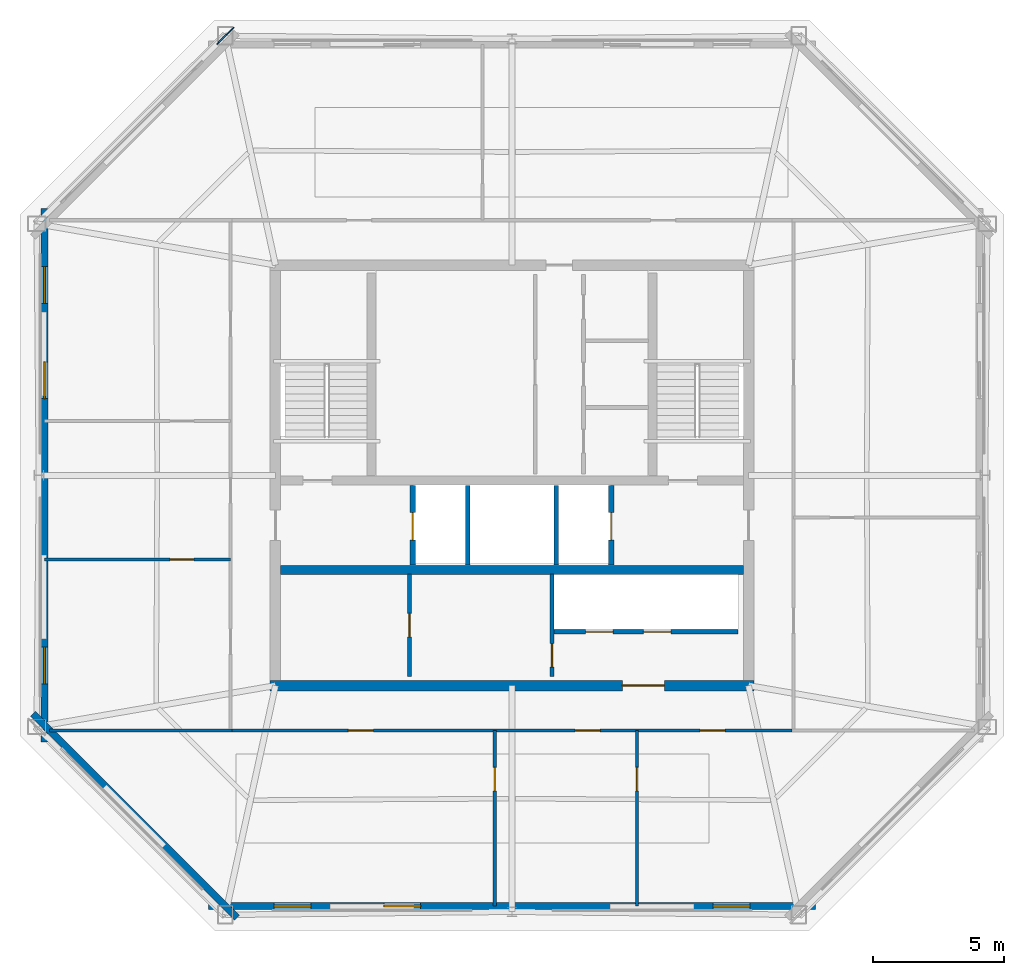
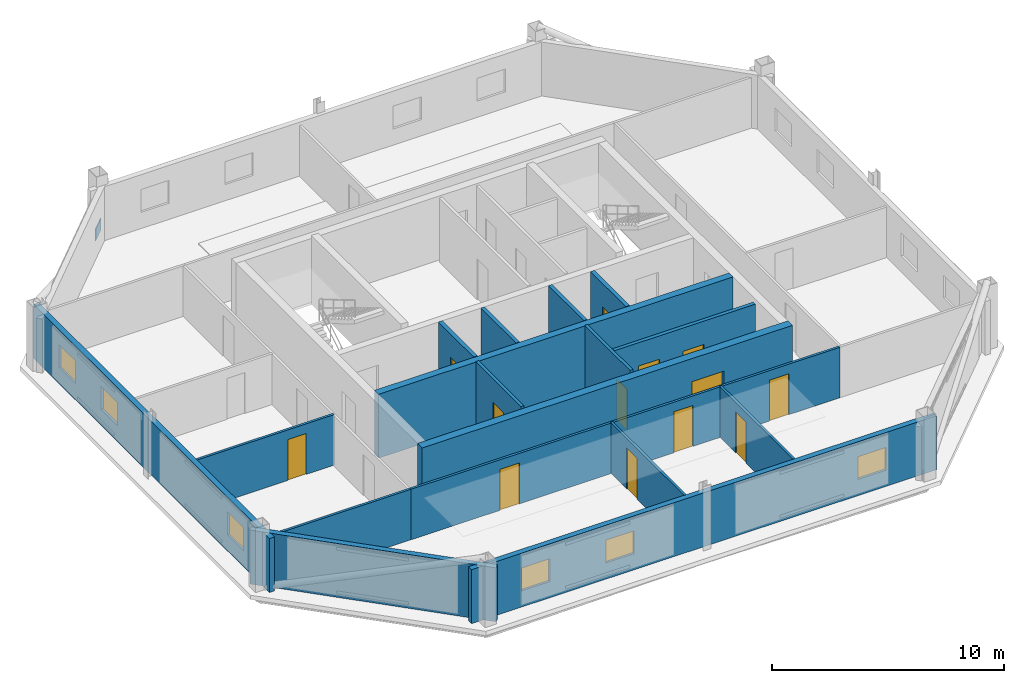
# One storey, part 2 of 6: 17 walls, 13 doors, 6 windows, 1 plate, 19 openings.
"""IFC4 building model written with IfcOpenShell, lengths in metres."""

from ifc_helpers import new_model, si_unit, direction, frame, frame_2d, origin, origin_2d, place, context, subcontext, project, spatial, rectangle, extrude, material, layer, layer_set, type_object, element, fill, save


model = new_model("IFC4")

# Units and contexts
model_context = context("Model", 3, precision=1e-05, world=origin(), true_north=direction((0.0, 1.0)))
body_context = subcontext(model_context, "Body", "Model", "MODEL_VIEW")
ifc_project = project(units=[si_unit("LENGTHUNIT", "METRE"), si_unit("AREAUNIT", "SQUARE_METRE"), si_unit("VOLUMEUNIT", "CUBIC_METRE"), si_unit("PLANEANGLEUNIT", "RADIAN"), si_unit("MASSUNIT", "GRAM", prefix="KILO")], contexts=[model_context])

# Site, building, storey
site_placement = place(None, origin())
site = spatial("IfcSite", under=ifc_project, at=site_placement, CompositionType="ELEMENT")
building_placement = place(site_placement, origin())
building = spatial("IfcBuilding", under=site, at=building_placement, Name="Caelvoria Tower", CompositionType="ELEMENT")
storey_placement = place(building_placement, frame((0.0, 0.0, 264.60009765625)))
storey = spatial("IfcBuildingStorey", under=building, at=storey_placement, Name="L70", CompositionType="ELEMENT", Elevation=264.60009765625)

# Plate
ifc_material_1 = material(Name="Structural Steel ASTM A572 Gr.50", Category="steel")
ifc_layer_1 = layer(ifc_material_1, 0.0400390625, Name="Structural Steel ASTM A572 Gr.50")
ifc_layer_set_1 = layer_set([ifc_layer_1], Name="Megaframe Node Gusset Plate 900x600x40 - Structural Steel ASTM A572 Gr.50")
plate_type = type_object("IfcPlateType", Name="Megaframe Node Gusset Plate 900x600x40", PredefinedType="USERDEFINED", material=ifc_layer_set_1)
plate_placement = place(storey_placement, frame((35.0888671875, 48.724365234375, 0.019775390625), z_axis=(0.0, 0.0, 1.0), x_axis=(-0.708251129694, -0.705960577714, 0.0)))
element("IfcPlate", 1, at=plate_placement, inside=storey, type_object=plate_type, Name="Chamfer Mega Brace Gusset L70 NW", ObjectType="GUSSET_PLATE", PredefinedType="USERDEFINED", context=body_context, shape_type="SweptSolid", body=[
    extrude(rectangle(XDim=0.89990234375, YDim=0.0400390625, at=origin_2d()), origin(), (0.0, 0.0, 1.0), 0.60009765625),
])

# Wall
ifc_material_2 = material(Name="Concrete C50/60", Category="concrete")
ifc_layer_2 = layer(ifc_material_2, 0.35009765625, Name="Concrete C50/60")
ifc_layer_set_2 = layer_set([ifc_layer_2], Name="Core Internal Shear Wall 350 - Concrete C50/60")
wall_type_1 = type_object("IfcWallType", Name="Core Internal Shear Wall 350", PredefinedType="SHEAR", material=ifc_layer_set_2)
wall_1_placement = place(storey_placement, frame((37.199951171875, 28.39990234375, 0.0), z_axis=(0.0, 0.0, 1.0), x_axis=(1.0, 0.0, 0.0)))
element("IfcWall", 2, at=wall_1_placement, inside=storey, type_object=wall_type_1, Name="Core Shear Wall L70 M2", PredefinedType="SHEAR", context=body_context, shape_type="SweptSolid", body=[
    extrude(rectangle(XDim=17.60009765625, YDim=0.35009765625, at=frame_2d((8.800048828125, 0.0))), origin(), (0.0, 0.0, 1.0), 3.35986328125),
])

# Wall, opening, door
ifc_material_3 = material(Name="Double Gypsum Board on Steel Stud", Category="steel")
ifc_layer_3 = layer(ifc_material_3, 0.14990234375, Name="Double Gypsum Board on Steel Stud")
ifc_layer_set_3 = layer_set([ifc_layer_3], Name="Core Service Acoustic Partition Wall 150 - Double Gypsum Board on Steel Stud")
wall_type_2 = type_object("IfcWallType", Name="Core Service Acoustic Partition Wall 150", PredefinedType="PARTITIONING", material=ifc_layer_set_3)
wall_2_placement = place(storey_placement, frame((42.10009765625, 24.35009765625, 0.0), z_axis=(0.0, 0.0, 1.0), x_axis=(0.0, 1.0, 0.0)))
wall_2 = element("IfcWall", 3, at=wall_2_placement, inside=storey, type_object=wall_type_2, Name="Interior Partition IW-L70-RECL-MID", PredefinedType="PARTITIONING", context=body_context, shape_type="SweptSolid", body=[
    extrude(rectangle(XDim=3.89990234375, YDim=0.14990234375, at=frame_2d((1.949951171875, 0.0))), origin(), (0.0, 0.0, 1.0), 3.375),
])
opening_1_placement = place(wall_2_placement, frame((1.5, 0.0, 0.0)))
opening_1 = element("IfcOpeningElement", 4, at=opening_1_placement, cuts=wall_2, Name="Opening ID-06", PredefinedType="OPENING", context=body_context, shape_type="SweptSolid", body=[
    extrude(rectangle(XDim=0.89990234375, YDim=2.14990234375, at=frame_2d((0.449951171875, 1.074951171875))), frame((0.0, 0.0849609375, 0.0), z_axis=(0.0, -1.0, 0.0), x_axis=(1.0, 0.0, 0.0)), (0.0, 0.0, 1.0), 0.169921875),
])
ifc_material_4 = material(Name="Engineered Andean Oak Veneer Door", Category="wood")
door_type_1 = type_object("IfcDoorType", Name="Interior Timber Door 900x2150", OperationType="NOTDEFINED", PredefinedType="DOOR", material=ifc_material_4)
door_1_placement = place(opening_1_placement, origin())
door_1 = element("IfcDoor", 5, at=door_1_placement, inside=storey, type_object=door_type_1, Name="Interior Door DR-L70-RECL12", OperationType="SINGLE_SWING_LEFT", OverallHeight=2.14990234375, OverallWidth=0.89990234375, PredefinedType="DOOR", context=body_context, shape_type="SweptSolid", body=[
    extrude(rectangle(XDim=0.89990234375, YDim=2.14990234375, at=frame_2d((0.449951171875, 1.074951171875))), frame((0.0, 0.02490234375, 0.0), z_axis=(0.0, -1.0, 0.0), x_axis=(1.0, 0.0, 0.0)), (0.0, 0.0, 1.0), 0.050048828125),
])
fill(opening_1, door_1)

wall_3_placement = place(storey_placement, frame((47.52001953125, 24.35009765625, 0.0), z_axis=(0.0, 0.0, 1.0), x_axis=(0.0, 1.0, 0.0)))
wall_3 = element("IfcWall", 6, at=wall_3_placement, inside=storey, type_object=wall_type_2, Name="Interior Partition IW-L70-RECL2E", PredefinedType="PARTITIONING", context=body_context, shape_type="SweptSolid", body=[
    extrude(rectangle(XDim=3.89990234375, YDim=0.14990234375, at=frame_2d((1.949951171875, 0.0))), origin(), (0.0, 0.0, 1.0), 3.375),
])
opening_2_placement = place(wall_3_placement, frame((0.35009765625, 0.0, 0.0)))
opening_2 = element("IfcOpeningElement", 7, at=opening_2_placement, cuts=wall_3, Name="Opening ID-04", PredefinedType="OPENING", context=body_context, shape_type="SweptSolid", body=[
    extrude(rectangle(XDim=0.89990234375, YDim=2.14990234375, at=frame_2d((0.449951171875, 1.074951171875))), frame((0.0, 0.0849609375, 0.0), z_axis=(0.0, -1.0, 0.0), x_axis=(1.0, 0.0, 0.0)), (0.0, 0.0, 1.0), 0.169921875),
])
ifc_material_5 = material(Name="Acoustic Timber Fire Door", Category="wood")
door_type_2 = type_object("IfcDoorType", Name="Fire Door FD30S 900x2150", OperationType="NOTDEFINED", PredefinedType="DOOR", material=ifc_material_5)
door_2_placement = place(opening_2_placement, origin())
door_2 = element("IfcDoor", 8, at=door_2_placement, inside=storey, type_object=door_type_2, Name="Interior Door DR-L70-RECL2", OperationType="SINGLE_SWING_RIGHT", OverallHeight=2.14990234375, OverallWidth=0.89990234375, PredefinedType="DOOR", context=body_context, shape_type="SweptSolid", body=[
    extrude(rectangle(XDim=0.89990234375, YDim=2.14990234375, at=frame_2d((0.449951171875, 1.074951171875))), frame((0.0, 0.02490234375, 0.0), z_axis=(0.0, -1.0, 0.0), x_axis=(1.0, 0.0, 0.0)), (0.0, 0.0, 1.0), 0.050048828125),
])
fill(opening_2, door_2)

# Walls
ifc_material_6 = material(Name="Concrete Block and Fireboard Assembly", Category="concrete")
ifc_layer_4 = layer(ifc_material_6, 0.179931640625, Name="Concrete Block and Fireboard Assembly")
ifc_layer_set_4 = layer_set([ifc_layer_4], Name="Fire-Rated Hoistway Partition Wall 180 - Concrete Block and Fireboard Assembly")
wall_type_3 = type_object("IfcWallType", Name="Fire-Rated Hoistway Partition Wall 180", PredefinedType="PARTITIONING", material=ifc_layer_set_4)
for number, where, z_axis, x_axis, name in (
    (9, (44.320068359375, 28.580078125, 0.0), (0.0, 0.0, 1.0), (0.0, 1.0, 0.0), "Interior Partition IW-L70-SV1W"),
    (10, (47.679931640625, 28.580078125, 0.0), (0.0, 0.0, 1.0), (0.0, 1.0, 0.0), "Interior Partition IW-L70-SV1E"),
):
    element("IfcWall", number, at=place(storey_placement, frame(where, z_axis=z_axis, x_axis=x_axis)), inside=storey, type_object=wall_type_3, Name=name, PredefinedType="PARTITIONING", context=body_context, shape_type="SweptSolid", body=[
        extrude(rectangle(XDim=3.0400390625, YDim=0.179931640625, at=frame_2d((1.52001953125, 0.0))), origin(), (0.0, 0.0, 1.0), 3.375),
    ])

# Wall, openings, doors
wall_4_placement = place(storey_placement, frame((47.60009765625, 26.050048828125, 0.0), z_axis=(0.0, 0.0, 1.0), x_axis=(1.0, 0.0, 0.0)))
wall_4 = element("IfcWall", 11, at=wall_4_placement, inside=storey, type_object=wall_type_3, Name="Interior Partition IW-L70-LFRONT", PredefinedType="PARTITIONING", context=body_context, shape_type="SweptSolid", body=[
    extrude(rectangle(XDim=7.0, YDim=0.179931640625, at=frame_2d((3.5, 0.0))), origin(), (0.0, 0.0, 1.0), 3.375),
])
opening_3_placement = place(wall_4_placement, frame((1.199951171875, 0.0, 0.0)))
opening_3 = element("IfcOpeningElement", 12, at=opening_3_placement, cuts=wall_4, Name="Opening LD-01", PredefinedType="OPENING", context=body_context, shape_type="SweptSolid", body=[
    extrude(rectangle(XDim=1.050048828125, YDim=2.14990234375, at=frame_2d((0.52490234375, 1.074951171875))), frame((0.0, 0.099853515625, 0.0), z_axis=(0.0, -1.0, 0.0), x_axis=(1.0, 0.0, 0.0)), (0.0, 0.0, 1.0), 0.199951171875),
])
opening_4_placement = place(wall_4_placement, frame((3.39990234375, 0.0, 0.0)))
opening_4 = element("IfcOpeningElement", 13, at=opening_4_placement, cuts=wall_4, Name="Opening LD-01", PredefinedType="OPENING", context=body_context, shape_type="SweptSolid", body=[
    extrude(rectangle(XDim=1.050048828125, YDim=2.14990234375, at=frame_2d((0.52490234375, 1.074951171875))), frame((0.0, 0.099853515625, 0.0), z_axis=(0.0, -1.0, 0.0), x_axis=(1.0, 0.0, 0.0)), (0.0, 0.0, 1.0), 0.199951171875),
])
ifc_material_7 = material(Name="Brushed Bronze Stainless Sliding Landing Door", Category="aluminium")
door_type_3 = type_object("IfcDoorType", Name="Lift Landing Sliding Door 1100x2150", OperationType="NOTDEFINED", PredefinedType="DOOR", material=ifc_material_7)
door_3_placement = place(opening_3_placement, origin())
door_3 = element("IfcDoor", 14, at=door_3_placement, inside=storey, type_object=door_type_3, Name="Interior Door LD-L70-PH1", OperationType="SLIDING_TO_LEFT", OverallHeight=2.14990234375, OverallWidth=1.050048828125, PredefinedType="DOOR", context=body_context, shape_type="SweptSolid", body=[
    extrude(rectangle(XDim=1.050048828125, YDim=2.14990234375, at=frame_2d((0.52490234375, 1.074951171875))), frame((0.0, 0.02490234375, 0.0), z_axis=(0.0, -1.0, 0.0), x_axis=(1.0, 0.0, 0.0)), (0.0, 0.0, 1.0), 0.050048828125),
])
fill(opening_3, door_3)
door_4_placement = place(opening_4_placement, origin())
door_4 = element("IfcDoor", 15, at=door_4_placement, inside=storey, type_object=door_type_3, Name="Interior Door LD-L70-PH2", OperationType="SLIDING_TO_RIGHT", OverallHeight=2.14990234375, OverallWidth=1.050048828125, PredefinedType="DOOR", context=body_context, shape_type="SweptSolid", body=[
    extrude(rectangle(XDim=1.050048828125, YDim=2.14990234375, at=frame_2d((0.52490234375, 1.074951171875))), frame((0.0, 0.02490234375, 0.0), z_axis=(0.0, -1.0, 0.0), x_axis=(1.0, 0.0, 0.0)), (0.0, 0.0, 1.0), 0.050048828125),
])
fill(opening_4, door_4)

# Wall, opening, door
ifc_layer_5 = layer(ifc_material_6, 0.199951171875, Name="Concrete Block and Fireboard Assembly")
ifc_layer_set_5 = layer_set([ifc_layer_5], Name="Fire-Rated Shaft and Core Partition Wall 200 - Concrete Block and Fireboard Assembly")
wall_type_4 = type_object("IfcWallType", Name="Fire-Rated Shaft and Core Partition Wall 200", PredefinedType="PARTITIONING", material=ifc_layer_set_5)
wall_5_placement = place(storey_placement, frame((42.219970703125, 28.580078125, 0.0), z_axis=(0.0, 0.0, 1.0), x_axis=(0.0, 1.0, 0.0)))
wall_5 = element("IfcWall", 16, at=wall_5_placement, inside=storey, type_object=wall_type_4, Name="Interior Partition IW-L70-LF1W", PredefinedType="PARTITIONING", context=body_context, shape_type="SweptSolid", body=[
    extrude(rectangle(XDim=3.0400390625, YDim=0.199951171875, at=frame_2d((1.52001953125, 0.0))), origin(), (0.0, 0.0, 1.0), 3.375),
])
opening_5_placement = place(wall_5_placement, frame((0.949951171875, 0.0, 0.0)))
opening_5 = element("IfcOpeningElement", 17, at=opening_5_placement, cuts=wall_5, Name="Opening LD-01", PredefinedType="OPENING", context=body_context, shape_type="SweptSolid", body=[
    extrude(rectangle(XDim=1.050048828125, YDim=2.14990234375, at=frame_2d((0.52490234375, 1.074951171875))), frame((0.0, 0.10986328125, 0.0), z_axis=(0.0, -1.0, 0.0), x_axis=(1.0, 0.0, 0.0)), (0.0, 0.0, 1.0), 0.219970703125),
])
door_5_placement = place(opening_5_placement, origin())
door_5 = element("IfcDoor", 18, at=door_5_placement, inside=storey, type_object=door_type_3, Name="Interior Door LD-L70-LF1", OperationType="SLIDING_TO_LEFT", OverallHeight=2.14990234375, OverallWidth=1.050048828125, PredefinedType="DOOR", context=body_context, shape_type="SweptSolid", body=[
    extrude(rectangle(XDim=1.050048828125, YDim=2.14990234375, at=frame_2d((0.52490234375, 1.074951171875))), frame((0.0, 0.02490234375, 0.0), z_axis=(0.0, -1.0, 0.0), x_axis=(1.0, 0.0, 0.0)), (0.0, 0.0, 1.0), 0.050048828125),
])
fill(opening_5, door_5)

wall_6_placement = place(storey_placement, frame((49.780029296875, 28.580078125, 0.0), z_axis=(0.0, 0.0, 1.0), x_axis=(0.0, 1.0, 0.0)))
wall_6 = element("IfcWall", 19, at=wall_6_placement, inside=storey, type_object=wall_type_4, Name="Interior Partition IW-L70-LF2E", PredefinedType="PARTITIONING", context=body_context, shape_type="SweptSolid", body=[
    extrude(rectangle(XDim=3.0400390625, YDim=0.199951171875, at=frame_2d((1.52001953125, 0.0))), origin(), (0.0, 0.0, 1.0), 3.375),
])
opening_6_placement = place(wall_6_placement, frame((0.949951171875, 0.0, 0.0)))
opening_6 = element("IfcOpeningElement", 20, at=opening_6_placement, cuts=wall_6, Name="Opening LD-01", PredefinedType="OPENING", context=body_context, shape_type="SweptSolid", body=[
    extrude(rectangle(XDim=1.050048828125, YDim=2.14990234375, at=frame_2d((0.52490234375, 1.074951171875))), frame((0.0, 0.10986328125, 0.0), z_axis=(0.0, -1.0, 0.0), x_axis=(1.0, 0.0, 0.0)), (0.0, 0.0, 1.0), 0.219970703125),
])
door_6_placement = place(opening_6_placement, origin())
door_6 = element("IfcDoor", 21, at=door_6_placement, inside=storey, type_object=door_type_3, Name="Interior Door LD-L70-LF2", OperationType="SLIDING_TO_RIGHT", OverallHeight=2.14990234375, OverallWidth=1.050048828125, PredefinedType="DOOR", context=body_context, shape_type="SweptSolid", body=[
    extrude(rectangle(XDim=1.050048828125, YDim=2.14990234375, at=frame_2d((0.52490234375, 1.074951171875))), frame((0.0, 0.02490234375, 0.0), z_axis=(0.0, -1.0, 0.0), x_axis=(1.0, 0.0, 0.0)), (0.0, 0.0, 1.0), 0.050048828125),
])
fill(opening_6, door_6)

ifc_layer_6 = layer(ifc_material_2, 0.39990234375, Name="Concrete C50/60")
ifc_layer_set_6 = layer_set([ifc_layer_6], Name="Summit Core Shear Wall 400 - Concrete C50/60")
wall_type_5 = type_object("IfcWallType", Name="Summit Core Shear Wall 400", PredefinedType="SHEAR", material=ifc_layer_set_6)
wall_7_placement = place(storey_placement, frame((36.800048828125, 24.0, 0.0), z_axis=(0.0, 0.0, 1.0), x_axis=(1.0, 0.0, 0.0)))
wall_7 = element("IfcWall", 22, at=wall_7_placement, inside=storey, type_object=wall_type_5, Name="Core Shear Wall L70 S", PredefinedType="SHEAR", context=body_context, shape_type="SweptSolid", body=[
    extrude(rectangle(XDim=18.39990234375, YDim=0.39990234375, at=frame_2d((9.199951171875, 0.0))), origin(), (0.0, 0.0, 1.0), 3.35986328125),
])
opening_7_placement = place(wall_7_placement, frame((13.39990234375, 0.0, 0.0)))
opening_7 = element("IfcOpeningElement", 23, at=opening_7_placement, cuts=wall_7, Name="Opening ID-08", PredefinedType="OPENING", context=body_context, shape_type="SweptSolid", body=[
    extrude(rectangle(XDim=1.60009765625, YDim=2.14990234375, at=frame_2d((0.800048828125, 1.074951171875))), frame((0.0, 0.2099609375, 0.0), z_axis=(0.0, -1.0, 0.0), x_axis=(1.0, 0.0, 0.0)), (0.0, 0.0, 1.0), 0.419921875),
])
ifc_material_8 = material(Name="Bronze-Framed Fire-Rated Glazed Double Door", Category="aluminium")
door_type_4 = type_object("IfcDoorType", Name="Double Lobby Glazed Door 1600x2200", OperationType="NOTDEFINED", PredefinedType="DOOR", material=ifc_material_8)
door_7_placement = place(opening_7_placement, origin())
door_7 = element("IfcDoor", 24, at=door_7_placement, inside=storey, type_object=door_type_4, Name="Core Door DR-L70-LLOB-S2", OperationType="DOUBLE_DOOR_SINGLE_SWING", OverallHeight=2.14990234375, OverallWidth=1.60009765625, PredefinedType="DOOR", context=body_context, shape_type="SweptSolid", body=[
    extrude(rectangle(XDim=1.60009765625, YDim=2.14990234375, at=frame_2d((0.800048828125, 1.074951171875))), frame((0.0, 0.02490234375, 0.0), z_axis=(0.0, -1.0, 0.0), x_axis=(1.0, 0.0, 0.0)), (0.0, 0.0, 1.0), 0.050048828125),
])
fill(opening_7, door_7)

ifc_material_9 = material(Name="Acoustic Gypsum Board on Light-Gauge Stud", Category="gypsum")
ifc_layer_7 = layer(ifc_material_9, 0.1201171875, Name="Acoustic Gypsum Board on Light-Gauge Stud")
ifc_layer_set_7 = layer_set([ifc_layer_7], Name="Tenant Suite Acoustic Partition Wall 120 - Acoustic Gypsum Board on Light-Gauge Stud")
wall_type_6 = type_object("IfcWallType", Name="Tenant Suite Acoustic Partition Wall 120", PredefinedType="PARTITIONING", material=ifc_layer_set_7)
wall_8_placement = place(storey_placement, frame((45.345458984375, 22.2900390625, 0.0), z_axis=(0.0, 0.0, 1.0), x_axis=(0.0, -1.0, 0.0)))
wall_8 = element("IfcWall", 25, at=wall_8_placement, inside=storey, type_object=wall_type_6, Name="Interior Partition IW-L70-SD-00-0", PredefinedType="PARTITIONING", context=body_context, shape_type="SweptSolid", body=[
    extrude(rectangle(XDim=6.67724609375, YDim=0.1201171875, at=frame_2d((3.338623046875, 0.0))), origin(), (0.0, 0.0, 1.0), 2.65478515625),
])
opening_8_placement = place(wall_8_placement, frame((1.39990234375, 0.0, 0.0)))
opening_8 = element("IfcOpeningElement", 26, at=opening_8_placement, cuts=wall_8, Name="Opening ID-06", PredefinedType="OPENING", context=body_context, shape_type="SweptSolid", body=[
    extrude(rectangle(XDim=0.89990234375, YDim=2.14990234375, at=frame_2d((0.449951171875, 1.074951171875))), frame((0.0, 0.070068359375, 0.0), z_axis=(0.0, -1.0, 0.0), x_axis=(1.0, 0.0, 0.0)), (0.0, 0.0, 1.0), 0.14013671875),
])
door_8_placement = place(opening_8_placement, origin())
door_8 = element("IfcDoor", 27, at=door_8_placement, inside=storey, type_object=door_type_1, Name="Interior Door DR-L70-SM-00-0", OperationType="SINGLE_SWING_RIGHT", OverallHeight=2.14990234375, OverallWidth=0.89990234375, PredefinedType="DOOR", context=body_context, shape_type="SweptSolid", body=[
    extrude(rectangle(XDim=0.89990234375, YDim=2.14990234375, at=frame_2d((0.449951171875, 1.074951171875))), frame((0.0, 0.02490234375, 0.0), z_axis=(0.0, -1.0, 0.0), x_axis=(1.0, 0.0, 0.0)), (0.0, 0.0, 1.0), 0.050048828125),
])
fill(opening_8, door_8)

wall_9_placement = place(storey_placement, frame((50.760986328125, 22.2900390625, 0.0), z_axis=(0.0, 0.0, 1.0), x_axis=(0.0, -1.0, 0.0)))
wall_9 = element("IfcWall", 28, at=wall_9_placement, inside=storey, type_object=wall_type_6, Name="Interior Partition IW-L70-SD-01-0", PredefinedType="PARTITIONING", context=body_context, shape_type="SweptSolid", body=[
    extrude(rectangle(XDim=6.67724609375, YDim=0.1201171875, at=frame_2d((3.338623046875, 0.0))), origin(), (0.0, 0.0, 1.0), 2.65478515625),
])
opening_9_placement = place(wall_9_placement, frame((1.39990234375, 0.0, 0.0)))
opening_9 = element("IfcOpeningElement", 29, at=opening_9_placement, cuts=wall_9, Name="Opening ID-06", PredefinedType="OPENING", context=body_context, shape_type="SweptSolid", body=[
    extrude(rectangle(XDim=0.89990234375, YDim=2.14990234375, at=frame_2d((0.449951171875, 1.074951171875))), frame((0.0, 0.070068359375, 0.0), z_axis=(0.0, -1.0, 0.0), x_axis=(1.0, 0.0, 0.0)), (0.0, 0.0, 1.0), 0.14013671875),
])
door_9_placement = place(opening_9_placement, origin())
door_9 = element("IfcDoor", 30, at=door_9_placement, inside=storey, type_object=door_type_1, Name="Interior Door DR-L70-SM-01-0", OperationType="SINGLE_SWING_LEFT", OverallHeight=2.14990234375, OverallWidth=0.89990234375, PredefinedType="DOOR", context=body_context, shape_type="SweptSolid", body=[
    extrude(rectangle(XDim=0.89990234375, YDim=2.14990234375, at=frame_2d((0.449951171875, 1.074951171875))), frame((0.0, 0.02490234375, 0.0), z_axis=(0.0, -1.0, 0.0), x_axis=(1.0, 0.0, 0.0)), (0.0, 0.0, 1.0), 0.050048828125),
])
fill(opening_9, door_9)

# Wall, openings, doors
wall_10_placement = place(storey_placement, frame((35.35009765625, 22.2900390625, 0.0), z_axis=(0.0, 0.0, 1.0), x_axis=(1.0, 0.0, 0.0)))
wall_10 = element("IfcWall", 31, at=wall_10_placement, inside=storey, type_object=wall_type_6, Name="Interior Partition IW-L70-SCW-0", PredefinedType="PARTITIONING", context=body_context, shape_type="SweptSolid", body=[
    extrude(rectangle(XDim=21.2998046875, YDim=0.1201171875, at=frame_2d((10.64990234375, 0.0))), origin(), (0.0, 0.0, 1.0), 2.65478515625),
])
opening_10_placement = place(wall_10_placement, frame((4.425048828125, 0.0, 0.0)))
opening_10 = element("IfcOpeningElement", 32, at=opening_10_placement, cuts=wall_10, Name="Opening ID-05", PredefinedType="OPENING", context=body_context, shape_type="SweptSolid", body=[
    extrude(rectangle(XDim=0.949951171875, YDim=2.14990234375, at=frame_2d((0.47509765625, 1.074951171875))), frame((0.0, 0.070068359375, 0.0), z_axis=(0.0, -1.0, 0.0), x_axis=(1.0, 0.0, 0.0)), (0.0, 0.0, 1.0), 0.14013671875),
])
opening_11_placement = place(wall_10_placement, frame((13.050537109375, 0.0, 0.0)))
opening_11 = element("IfcOpeningElement", 33, at=opening_11_placement, cuts=wall_10, Name="Opening ID-05", PredefinedType="OPENING", context=body_context, shape_type="SweptSolid", body=[
    extrude(rectangle(XDim=0.949951171875, YDim=2.14990234375, at=frame_2d((0.47509765625, 1.074951171875))), frame((0.0, 0.070068359375, 0.0), z_axis=(0.0, -1.0, 0.0), x_axis=(1.0, 0.0, 0.0)), (0.0, 0.0, 1.0), 0.14013671875),
])
opening_12_placement = place(wall_10_placement, frame((17.810546875, 0.0, 0.0)))
opening_12 = element("IfcOpeningElement", 34, at=opening_12_placement, cuts=wall_10, Name="Opening ID-05", PredefinedType="OPENING", context=body_context, shape_type="SweptSolid", body=[
    extrude(rectangle(XDim=0.949951171875, YDim=2.14990234375, at=frame_2d((0.47509765625, 1.074951171875))), frame((0.0, 0.070068359375, 0.0), z_axis=(0.0, -1.0, 0.0), x_axis=(1.0, 0.0, 0.0)), (0.0, 0.0, 1.0), 0.14013671875),
])
door_type_5 = type_object("IfcDoorType", Name="Interior Timber Door 950x2150", OperationType="NOTDEFINED", PredefinedType="DOOR", material=ifc_material_4)
door_10_placement = place(opening_10_placement, origin())
door_10 = element("IfcDoor", 35, at=door_10_placement, inside=storey, type_object=door_type_5, Name="Interior Door DR-L70-SC-00-0", OperationType="SINGLE_SWING_LEFT", OverallHeight=2.14990234375, OverallWidth=0.949951171875, PredefinedType="DOOR", context=body_context, shape_type="SweptSolid", body=[
    extrude(rectangle(XDim=0.949951171875, YDim=2.14990234375, at=frame_2d((0.47509765625, 1.074951171875))), frame((0.0, 0.02490234375, 0.0), z_axis=(0.0, -1.0, 0.0), x_axis=(1.0, 0.0, 0.0)), (0.0, 0.0, 1.0), 0.050048828125),
])
fill(opening_10, door_10)
door_11_placement = place(opening_11_placement, origin())
door_11 = element("IfcDoor", 36, at=door_11_placement, inside=storey, type_object=door_type_5, Name="Interior Door DR-L70-SC-01-0", OperationType="SINGLE_SWING_RIGHT", OverallHeight=2.14990234375, OverallWidth=0.949951171875, PredefinedType="DOOR", context=body_context, shape_type="SweptSolid", body=[
    extrude(rectangle(XDim=0.949951171875, YDim=2.14990234375, at=frame_2d((0.47509765625, 1.074951171875))), frame((0.0, 0.02490234375, 0.0), z_axis=(0.0, -1.0, 0.0), x_axis=(1.0, 0.0, 0.0)), (0.0, 0.0, 1.0), 0.050048828125),
])
fill(opening_11, door_11)
door_12_placement = place(opening_12_placement, origin())
door_12 = element("IfcDoor", 37, at=door_12_placement, inside=storey, type_object=door_type_5, Name="Interior Door DR-L70-SC-02-0", OperationType="SINGLE_SWING_LEFT", OverallHeight=2.14990234375, OverallWidth=0.949951171875, PredefinedType="DOOR", context=body_context, shape_type="SweptSolid", body=[
    extrude(rectangle(XDim=0.949951171875, YDim=2.14990234375, at=frame_2d((0.47509765625, 1.074951171875))), frame((0.0, 0.02490234375, 0.0), z_axis=(0.0, -1.0, 0.0), x_axis=(1.0, 0.0, 0.0)), (0.0, 0.0, 1.0), 0.050048828125),
])
fill(opening_12, door_12)

# Wall, opening, door
wall_11_placement = place(storey_placement, frame((35.2900390625, 28.793701171875, 0.0), z_axis=(0.0, 0.0, 1.0), x_axis=(-1.0, 0.0, 0.0)))
wall_11 = element("IfcWall", 38, at=wall_11_placement, inside=storey, type_object=wall_type_6, Name="Interior Partition IW-L70-WD-00-0", PredefinedType="PARTITIONING", context=body_context, shape_type="SweptSolid", body=[
    extrude(rectangle(XDim=7.07275390625, YDim=0.1201171875, at=frame_2d((3.536376953125, 0.0))), origin(), (0.0, 0.0, 1.0), 2.65478515625),
])
opening_13_placement = place(wall_11_placement, frame((1.39990234375, 0.0, 0.0)))
opening_13 = element("IfcOpeningElement", 39, at=opening_13_placement, cuts=wall_11, Name="Opening ID-06", PredefinedType="OPENING", context=body_context, shape_type="SweptSolid", body=[
    extrude(rectangle(XDim=0.89990234375, YDim=2.14990234375, at=frame_2d((0.449951171875, 1.074951171875))), frame((0.0, 0.070068359375, 0.0), z_axis=(0.0, -1.0, 0.0), x_axis=(1.0, 0.0, 0.0)), (0.0, 0.0, 1.0), 0.14013671875),
])
door_13_placement = place(opening_13_placement, origin())
door_13 = element("IfcDoor", 40, at=door_13_placement, inside=storey, type_object=door_type_1, Name="Interior Door DR-L70-WM-00-0", OperationType="SINGLE_SWING_RIGHT", OverallHeight=2.14990234375, OverallWidth=0.89990234375, PredefinedType="DOOR", context=body_context, shape_type="SweptSolid", body=[
    extrude(rectangle(XDim=0.89990234375, YDim=2.14990234375, at=frame_2d((0.449951171875, 1.074951171875))), frame((0.0, 0.02490234375, 0.0), z_axis=(0.0, -1.0, 0.0), x_axis=(1.0, 0.0, 0.0)), (0.0, 0.0, 1.0), 0.050048828125),
])
fill(opening_13, door_13)

# Wall
wall_12_placement = place(storey_placement, frame((35.35009765625, 22.2900390625, 0.0), z_axis=(0.0, 0.0, 1.0), x_axis=(-1.0, 0.0, 0.0)))
element("IfcWall", 41, at=wall_12_placement, inside=storey, type_object=wall_type_6, Name="Interior Partition IW-L70-BSW-0", PredefinedType="PARTITIONING", context=body_context, shape_type="SweptSolid", body=[
    extrude(rectangle(XDim=6.9423828125, YDim=0.1201171875, at=frame_2d((3.47119140625, 0.0))), origin(), (0.0, 0.0, 1.0), 2.65478515625),
])

# Wall, openings, windows
ifc_material_10 = material(Name="Precast Concrete C40/50 with Bronze Cladding", Category="concrete")
ifc_layer_8 = layer(ifc_material_10, 0.264892578125, Name="Precast Concrete C40/50 with Bronze Cladding")
ifc_layer_set_8 = layer_set([ifc_layer_8], Name="Upper Taper Precast Concrete C40/50 Bronze Facade Wall 265 - Precast Concrete C40/50 with Bronze Cladding")
wall_type_7 = type_object("IfcWallType", Name="Upper Taper Precast Concrete C40/50 Bronze Facade Wall 265", PredefinedType="STANDARD", material=ifc_layer_set_8)
wall_13_placement = place(storey_placement, frame((34.45556640625, 15.61279296875, 0.0), z_axis=(0.0, 0.0, 1.0), x_axis=(1.0, 0.0, 0.0)))
wall_13 = element("IfcWall", 42, at=wall_13_placement, inside=storey, type_object=wall_type_7, Name="Exterior Facade Wall L70-E0", PredefinedType="STANDARD", context=body_context, shape_type="SweptSolid", body=[
    extrude(rectangle(XDim=23.0888671875, YDim=0.264892578125, at=frame_2d((11.54443359375, 0.0))), origin(), (0.0, 0.0, 1.0), 2.831787109375),
])
opening_14_placement = place(wall_13_placement, frame((2.489013671875, 0.0, 0.85009765625)))
opening_14 = element("IfcOpeningElement", 43, at=opening_14_placement, cuts=wall_13, Name="Opening WN-06", PredefinedType="OPENING", context=body_context, shape_type="SweptSolid", body=[
    extrude(rectangle(XDim=1.39990234375, YDim=1.199951171875, at=frame_2d((0.699951171875, 0.60009765625))), frame((0.0, 0.142333984375, 0.0), z_axis=(0.0, -1.0, 0.0), x_axis=(1.0, 0.0, 0.0)), (0.0, 0.0, 1.0), 0.284912109375),
])
opening_15_placement = place(wall_13_placement, frame((6.666748046875, 0.0, 0.85009765625)))
opening_15 = element("IfcOpeningElement", 44, at=opening_15_placement, cuts=wall_13, Name="Opening WN-06", PredefinedType="OPENING", context=body_context, shape_type="SweptSolid", body=[
    extrude(rectangle(XDim=1.39990234375, YDim=1.199951171875, at=frame_2d((0.699951171875, 0.60009765625))), frame((0.0, 0.142333984375, 0.0), z_axis=(0.0, -1.0, 0.0), x_axis=(1.0, 0.0, 0.0)), (0.0, 0.0, 1.0), 0.284912109375),
])
opening_16_placement = place(wall_13_placement, frame((19.2001953125, 0.0, 0.85009765625)))
opening_16 = element("IfcOpeningElement", 45, at=opening_16_placement, cuts=wall_13, Name="Opening WN-06", PredefinedType="OPENING", context=body_context, shape_type="SweptSolid", body=[
    extrude(rectangle(XDim=1.39990234375, YDim=1.199951171875, at=frame_2d((0.699951171875, 0.60009765625))), frame((0.0, 0.142333984375, 0.0), z_axis=(0.0, -1.0, 0.0), x_axis=(1.0, 0.0, 0.0)), (0.0, 0.0, 1.0), 0.284912109375),
])
ifc_material_11 = material(Name="Low-E Tinted Glass in Bronze Aluminium Frame", Category="aluminium")
window_type = type_object("IfcWindowType", Name="Podium Clerestory Window 1400x1200", PartitioningType="SINGLE_PANEL", PredefinedType="WINDOW", material=ifc_material_11)
window_1_placement = place(opening_14_placement, origin())
window_1 = element("IfcWindow", 46, at=window_1_placement, inside=storey, type_object=window_type, Name="Facade Window L70-E0-00", OverallHeight=1.199951171875, OverallWidth=1.39990234375, PartitioningType="SINGLE_PANEL", PredefinedType="WINDOW", context=body_context, shape_type="SweptSolid", body=[
    extrude(rectangle(XDim=1.39990234375, YDim=1.199951171875, at=frame_2d((0.699951171875, 0.60009765625))), frame((0.0, 0.030029296875, 0.0), z_axis=(0.0, -1.0, 0.0), x_axis=(1.0, 0.0, 0.0)), (0.0, 0.0, 1.0), 0.06005859375),
])
fill(opening_14, window_1)
window_2_placement = place(opening_15_placement, origin())
window_2 = element("IfcWindow", 47, at=window_2_placement, inside=storey, type_object=window_type, Name="Facade Window L70-E0-01", OverallHeight=1.199951171875, OverallWidth=1.39990234375, PartitioningType="SINGLE_PANEL", PredefinedType="WINDOW", context=body_context, shape_type="SweptSolid", body=[
    extrude(rectangle(XDim=1.39990234375, YDim=1.199951171875, at=frame_2d((0.699951171875, 0.60009765625))), frame((0.0, 0.030029296875, 0.0), z_axis=(0.0, -1.0, 0.0), x_axis=(1.0, 0.0, 0.0)), (0.0, 0.0, 1.0), 0.06005859375),
])
fill(opening_15, window_2)
window_3_placement = place(opening_16_placement, origin())
window_3 = element("IfcWindow", 48, at=window_3_placement, inside=storey, type_object=window_type, Name="Facade Window L70-E0-04", OverallHeight=1.199951171875, OverallWidth=1.39990234375, PartitioningType="SINGLE_PANEL", PredefinedType="WINDOW", context=body_context, shape_type="SweptSolid", body=[
    extrude(rectangle(XDim=1.39990234375, YDim=1.199951171875, at=frame_2d((0.699951171875, 0.60009765625))), frame((0.0, 0.030029296875, 0.0), z_axis=(0.0, -1.0, 0.0), x_axis=(1.0, 0.0, 0.0)), (0.0, 0.0, 1.0), 0.06005859375),
])
fill(opening_16, window_3)

wall_14_placement = place(storey_placement, frame((28.21728515625, 42.149169921875, 0.0), z_axis=(0.0, 0.0, 1.0), x_axis=(0.0, -1.0, 0.0)))
wall_14 = element("IfcWall", 49, at=wall_14_placement, inside=storey, type_object=wall_type_7, Name="Exterior Facade Wall L70-E6", PredefinedType="STANDARD", context=body_context, shape_type="SweptSolid", body=[
    extrude(rectangle(XDim=20.29833984375, YDim=0.264892578125, at=frame_2d((10.149169921875, 0.0))), origin(), (0.0, 0.0, 1.0), 2.831787109375),
])
opening_17_placement = place(wall_14_placement, frame((2.209716796875, 0.0, 0.85009765625)))
opening_17 = element("IfcOpeningElement", 50, at=opening_17_placement, cuts=wall_14, Name="Opening WN-06", PredefinedType="OPENING", context=body_context, shape_type="SweptSolid", body=[
    extrude(rectangle(XDim=1.39990234375, YDim=1.199951171875, at=frame_2d((0.699951171875, 0.60009765625))), frame((0.0, 0.142333984375, 0.0), z_axis=(0.0, -1.0, 0.0), x_axis=(1.0, 0.0, 0.0)), (0.0, 0.0, 1.0), 0.284912109375),
])
opening_18_placement = place(wall_14_placement, frame((5.82958984375, 0.0, 0.85009765625)))
opening_18 = element("IfcOpeningElement", 51, at=opening_18_placement, cuts=wall_14, Name="Opening WN-06", PredefinedType="OPENING", context=body_context, shape_type="SweptSolid", body=[
    extrude(rectangle(XDim=1.39990234375, YDim=1.199951171875, at=frame_2d((0.699951171875, 0.60009765625))), frame((0.0, 0.142333984375, 0.0), z_axis=(0.0, -1.0, 0.0), x_axis=(1.0, 0.0, 0.0)), (0.0, 0.0, 1.0), 0.284912109375),
])
opening_19_placement = place(wall_14_placement, frame((16.6884765625, 0.0, 0.85009765625)))
opening_19 = element("IfcOpeningElement", 52, at=opening_19_placement, cuts=wall_14, Name="Opening WN-06", PredefinedType="OPENING", context=body_context, shape_type="SweptSolid", body=[
    extrude(rectangle(XDim=1.39990234375, YDim=1.199951171875, at=frame_2d((0.699951171875, 0.60009765625))), frame((0.0, 0.142333984375, 0.0), z_axis=(0.0, -1.0, 0.0), x_axis=(1.0, 0.0, 0.0)), (0.0, 0.0, 1.0), 0.284912109375),
])
window_4_placement = place(opening_17_placement, origin())
window_4 = element("IfcWindow", 53, at=window_4_placement, inside=storey, type_object=window_type, Name="Facade Window L70-E6-00", OverallHeight=1.199951171875, OverallWidth=1.39990234375, PartitioningType="SINGLE_PANEL", PredefinedType="WINDOW", context=body_context, shape_type="SweptSolid", body=[
    extrude(rectangle(XDim=1.39990234375, YDim=1.199951171875, at=frame_2d((0.699951171875, 0.60009765625))), frame((0.0, 0.030029296875, 0.0), z_axis=(0.0, -1.0, 0.0), x_axis=(1.0, 0.0, 0.0)), (0.0, 0.0, 1.0), 0.06005859375),
])
fill(opening_17, window_4)
window_5_placement = place(opening_18_placement, origin())
window_5 = element("IfcWindow", 54, at=window_5_placement, inside=storey, type_object=window_type, Name="Facade Window L70-E6-01", OverallHeight=1.199951171875, OverallWidth=1.39990234375, PartitioningType="SINGLE_PANEL", PredefinedType="WINDOW", context=body_context, shape_type="SweptSolid", body=[
    extrude(rectangle(XDim=1.39990234375, YDim=1.199951171875, at=frame_2d((0.699951171875, 0.60009765625))), frame((0.0, 0.030029296875, 0.0), z_axis=(0.0, -1.0, 0.0), x_axis=(1.0, 0.0, 0.0)), (0.0, 0.0, 1.0), 0.06005859375),
])
fill(opening_18, window_5)
window_6_placement = place(opening_19_placement, origin())
window_6 = element("IfcWindow", 55, at=window_6_placement, inside=storey, type_object=window_type, Name="Facade Window L70-E6-04", OverallHeight=1.199951171875, OverallWidth=1.39990234375, PartitioningType="SINGLE_PANEL", PredefinedType="WINDOW", context=body_context, shape_type="SweptSolid", body=[
    extrude(rectangle(XDim=1.39990234375, YDim=1.199951171875, at=frame_2d((0.699951171875, 0.60009765625))), frame((0.0, 0.030029296875, 0.0), z_axis=(0.0, -1.0, 0.0), x_axis=(1.0, 0.0, 0.0)), (0.0, 0.0, 1.0), 0.06005859375),
])
fill(opening_19, window_6)

# Wall
wall_15_placement = place(storey_placement, frame((27.772216796875, 22.92529296875, 0.0), z_axis=(0.0, 0.0, 1.0), x_axis=(0.707106781187, -0.707106781187, 0.0)))
element("IfcWall", 56, at=wall_15_placement, inside=storey, type_object=wall_type_7, Name="Exterior Facade Wall L70-E7", PredefinedType="STANDARD", context=body_context, shape_type="SweptSolid", body=[
    extrude(rectangle(XDim=10.970947265625, YDim=0.264892578125, at=frame_2d((5.4853515625, 0.0))), origin(), (0.0, 0.0, 1.0), 2.831787109375),
])

save(model, "model.ifc")
